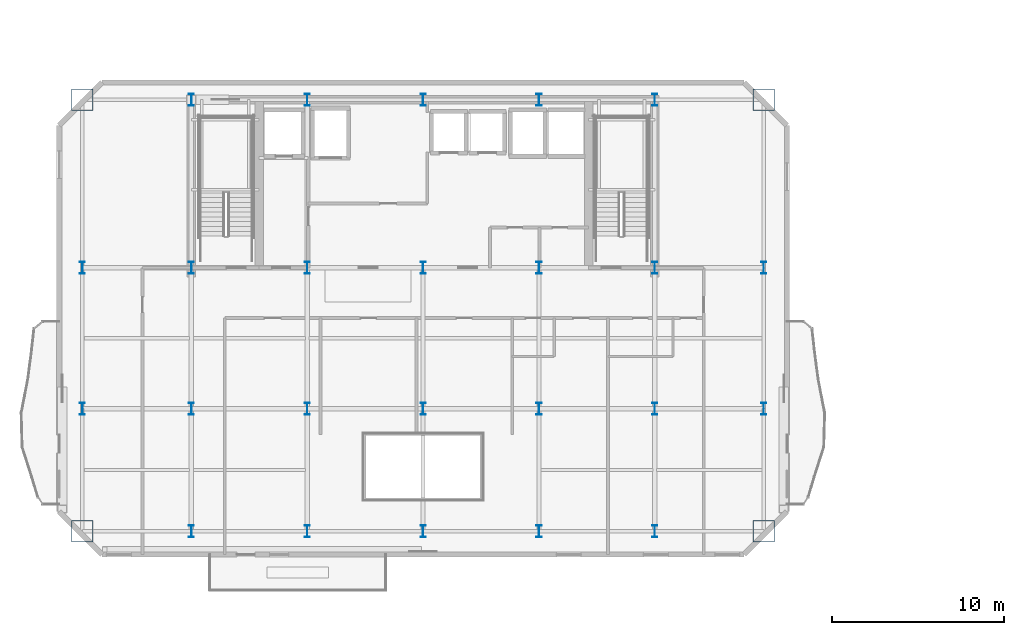
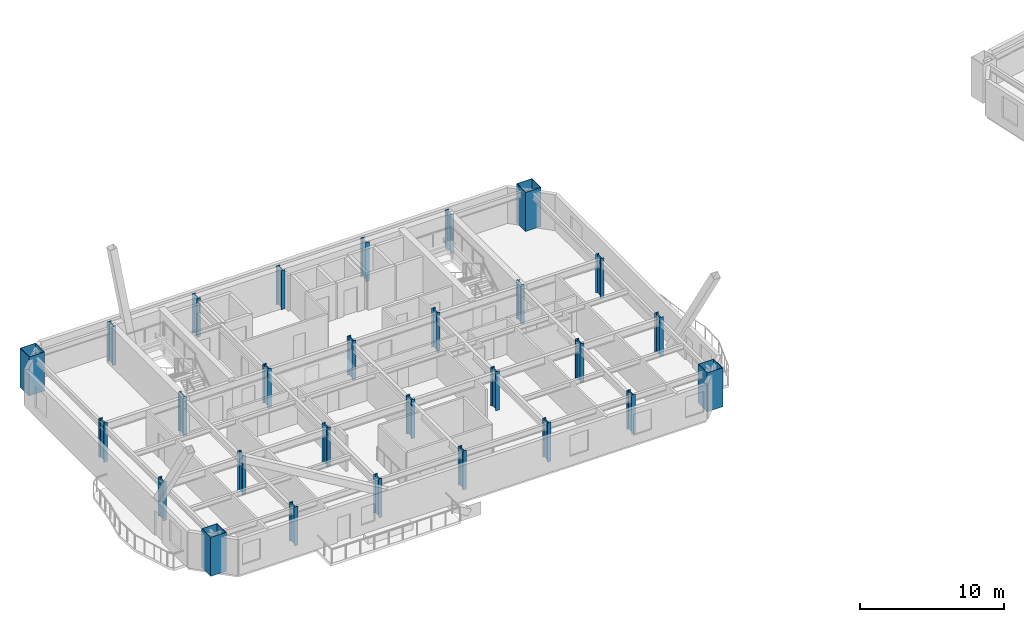
# One storey, part 1 of 13: 28 columns.
"""IFC4 building model written with IfcOpenShell, lengths in metres."""

from ifc_helpers import new_model, si_unit, direction, frame, origin, origin_2d, place, context, subcontext, project, spatial, hollow_rectangle, i_section, extrude, material, material_profile, profile_set, type_object, element, save


model = new_model("IFC4")

# Units and contexts
model_context = context("Model", 3, precision=1e-05, world=origin(), true_north=direction((0.0, 1.0)))
body_context = subcontext(model_context, "Body", "Model", "MODEL_VIEW")
ifc_project = project(units=[si_unit("LENGTHUNIT", "METRE"), si_unit("AREAUNIT", "SQUARE_METRE"), si_unit("VOLUMEUNIT", "CUBIC_METRE"), si_unit("PLANEANGLEUNIT", "RADIAN"), si_unit("MASSUNIT", "GRAM", prefix="KILO")], contexts=[model_context])

# Site, building, storey
site_placement = place(None, origin())
site = spatial("IfcSite", under=ifc_project, at=site_placement, CompositionType="ELEMENT")
building_placement = place(site_placement, origin())
building = spatial("IfcBuilding", under=site, at=building_placement, Name="Haevon Station Towers", CompositionType="ELEMENT")
storey_placement = place(building_placement, frame((0.0, 0.0, 146.10009765625)))
storey = spatial("IfcBuildingStorey", under=building, at=storey_placement, Name="L39", CompositionType="ELEMENT", Elevation=146.10009765625)

# Columns
ifc_material_1 = material(Name="Steel S460", Category="steel")
ifc_material_profile_1 = material_profile(ifc_material_1, hollow_rectangle(XDim=1.25, YDim=1.25, WallThickness=0.034912109375, at=origin_2d()), Name="BOX-1250x1250x35")
ifc_profile_set_1 = profile_set([ifc_material_profile_1], Name="Steel S460")
column_type_1 = type_object("IfcColumnType", Name="COL-MC4", PredefinedType="COLUMN", material=ifc_profile_set_1)
for number, where, z_axis, x_axis, name in (
    (1, (17.64990234375, 22.85009765625, 0.0), (0.0, 0.0, 1.0), (1.0, 0.0, 0.0), "COL-T1-L39-01-01"),
    (2, (17.64990234375, 48.0, 0.0), (0.0, 0.0, 1.0), (1.0, 0.0, 0.0), "COL-T1-L39-01-04"),
    (3, (57.35009765625, 22.85009765625, 0.0), (0.0, 0.0, 1.0), (1.0, 0.0, 0.0), "COL-T1-L39-07-01"),
    (4, (57.35009765625, 48.0, 0.0), (0.0, 0.0, 1.0), (1.0, 0.0, 0.0), "COL-T1-L39-07-04"),
):
    element("IfcColumn", number, at=place(storey_placement, frame(where, z_axis=z_axis, x_axis=x_axis)), inside=storey, type_object=column_type_1, Name=name, PredefinedType="COLUMN", context=body_context, shape_type="SweptSolid", body=[
        extrude(hollow_rectangle(XDim=1.25, YDim=1.25, WallThickness=0.034912109375, at=origin_2d()), origin(), (0.0, 0.0, 1.0), 3.2998046875),
    ])
ifc_material_2 = material(Name="Steel S355", Category="steel")
ifc_material_profile_2 = material_profile(ifc_material_2, i_section(OverallWidth=0.300048828125, OverallDepth=0.699951171875, WebThickness=0.01611328125, FlangeThickness=0.028076171875, at=origin_2d()), Name="H-700x300x16x28")
ifc_profile_set_2 = profile_set([ifc_material_profile_2], Name="Steel S355")
column_type_2 = type_object("IfcColumnType", Name="COL-TW3", PredefinedType="COLUMN", material=ifc_profile_set_2)
for number, where, z_axis, x_axis, name in (
    (5, (17.64990234375, 30.0, 0.0), (0.0, 0.0, 1.0), (1.0, 0.0, 0.0), "COL-T1-L39-01-02"),
    (6, (17.64990234375, 38.199951171875, 0.0), (0.0, 0.0, 1.0), (1.0, 0.0, 0.0), "COL-T1-L39-01-03"),
    (7, (24.0, 22.85009765625, 0.0), (0.0, 0.0, 1.0), (1.0, 0.0, 0.0), "COL-T1-L39-02-01"),
    (8, (24.0, 30.0, 0.0), (0.0, 0.0, 1.0), (1.0, 0.0, 0.0), "COL-T1-L39-02-02"),
    (9, (24.0, 38.199951171875, 0.0), (0.0, 0.0, 1.0), (1.0, 0.0, 0.0), "COL-T1-L39-02-03"),
    (10, (24.0, 48.0, 0.0), (0.0, 0.0, 1.0), (1.0, 0.0, 0.0), "COL-T1-L39-02-04"),
    (11, (30.75, 22.85009765625, 0.0), (0.0, 0.0, 1.0), (1.0, 0.0, 0.0), "COL-T1-L39-03-01"),
    (12, (30.75, 30.0, 0.0), (0.0, 0.0, 1.0), (1.0, 0.0, 0.0), "COL-T1-L39-03-02"),
    (13, (30.75, 38.199951171875, 0.0), (0.0, 0.0, 1.0), (1.0, 0.0, 0.0), "COL-T1-L39-03-03"),
    (14, (30.75, 48.0, 0.0), (0.0, 0.0, 1.0), (1.0, 0.0, 0.0), "COL-T1-L39-03-04"),
    (15, (37.5, 22.85009765625, 0.0), (0.0, 0.0, 1.0), (1.0, 0.0, 0.0), "COL-T1-L39-04-01"),
    (16, (37.5, 30.0, 0.0), (0.0, 0.0, 1.0), (1.0, 0.0, 0.0), "COL-T1-L39-04-02"),
    (17, (37.5, 38.199951171875, 0.0), (0.0, 0.0, 1.0), (1.0, 0.0, 0.0), "COL-T1-L39-04-03"),
    (18, (37.5, 48.0, 0.0), (0.0, 0.0, 1.0), (1.0, 0.0, 0.0), "COL-T1-L39-04-04"),
    (19, (44.25, 22.85009765625, 0.0), (0.0, 0.0, 1.0), (1.0, 0.0, 0.0), "COL-T1-L39-05-01"),
    (20, (44.25, 30.0, 0.0), (0.0, 0.0, 1.0), (1.0, 0.0, 0.0), "COL-T1-L39-05-02"),
    (21, (44.25, 38.199951171875, 0.0), (0.0, 0.0, 1.0), (1.0, 0.0, 0.0), "COL-T1-L39-05-03"),
    (22, (44.25, 48.0, 0.0), (0.0, 0.0, 1.0), (1.0, 0.0, 0.0), "COL-T1-L39-05-04"),
    (23, (51.0, 22.85009765625, 0.0), (0.0, 0.0, 1.0), (1.0, 0.0, 0.0), "COL-T1-L39-06-01"),
    (24, (51.0, 30.0, 0.0), (0.0, 0.0, 1.0), (1.0, 0.0, 0.0), "COL-T1-L39-06-02"),
    (25, (51.0, 38.199951171875, 0.0), (0.0, 0.0, 1.0), (1.0, 0.0, 0.0), "COL-T1-L39-06-03"),
    (26, (51.0, 48.0, 0.0), (0.0, 0.0, 1.0), (1.0, 0.0, 0.0), "COL-T1-L39-06-04"),
    (27, (57.35009765625, 30.0, 0.0), (0.0, 0.0, 1.0), (1.0, 0.0, 0.0), "COL-T1-L39-07-02"),
    (28, (57.35009765625, 38.199951171875, 0.0), (0.0, 0.0, 1.0), (1.0, 0.0, 0.0), "COL-T1-L39-07-03"),
):
    element("IfcColumn", number, at=place(storey_placement, frame(where, z_axis=z_axis, x_axis=x_axis)), inside=storey, type_object=column_type_2, Name=name, PredefinedType="COLUMN", context=body_context, shape_type="SweptSolid", body=[
        extrude(i_section(OverallWidth=0.300048828125, OverallDepth=0.699951171875, WebThickness=0.01611328125, FlangeThickness=0.028076171875, at=origin_2d()), origin(), (0.0, 0.0, 1.0), 3.2998046875),
    ])

save(model, "model.ifc")
